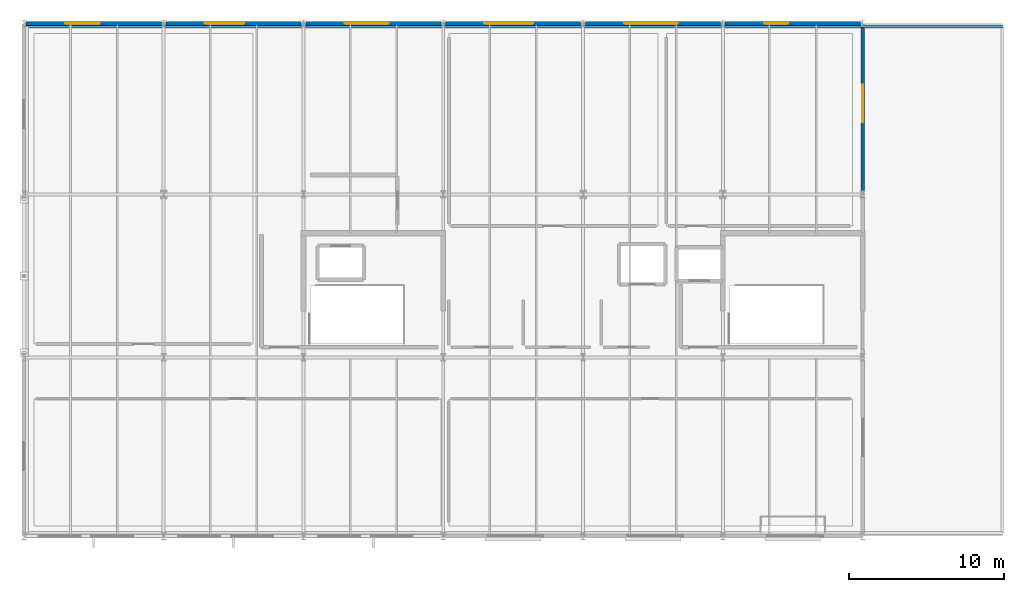
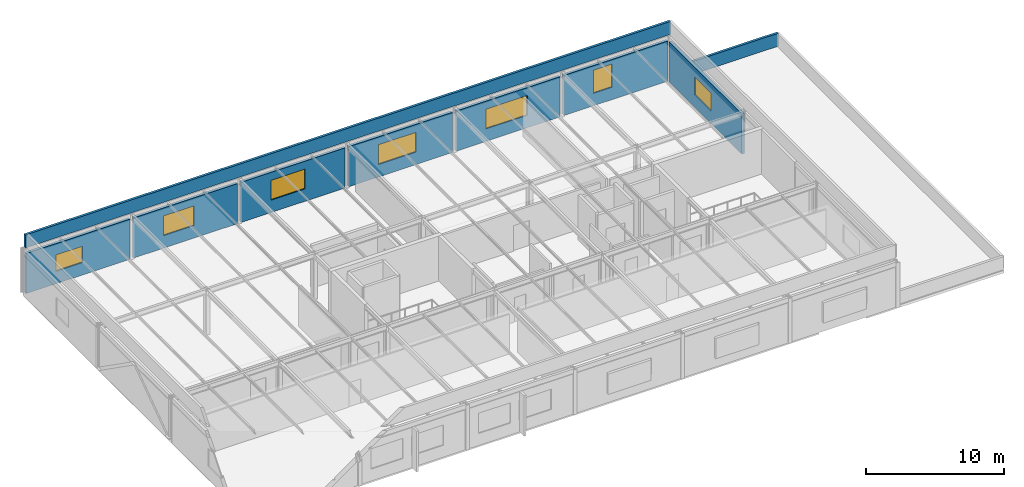
# One storey, part 8 of 14: 9 walls, 7 windows, 7 openings.
"""IFC4 building model written with IfcOpenShell, lengths in metres."""

from ifc_helpers import new_model, si_unit, direction, frame, frame_2d, origin, place, context, subcontext, project, spatial, rectangle, extrude, material, layer, layer_set, type_object, element, fill, save


model = new_model("IFC4")

# Units and contexts
model_context = context("Model", 3, precision=1e-05, world=origin(), true_north=direction((0.0, 1.0)))
body_context = subcontext(model_context, "Body", "Model", "MODEL_VIEW")
ifc_project = project(units=[si_unit("LENGTHUNIT", "METRE"), si_unit("AREAUNIT", "SQUARE_METRE"), si_unit("VOLUMEUNIT", "CUBIC_METRE"), si_unit("PLANEANGLEUNIT", "RADIAN"), si_unit("MASSUNIT", "GRAM", prefix="KILO")], contexts=[model_context])

# Site, building, storey
site_placement = place(None, origin())
site = spatial("IfcSite", under=ifc_project, at=site_placement, CompositionType="ELEMENT")
building_placement = place(site_placement, origin())
building = spatial("IfcBuilding", under=site, at=building_placement, Name="Marlcrest Central Station", CompositionType="ELEMENT")
storey_placement = place(building_placement, frame((0.0, 0.0, 24.0)))
storey = spatial("IfcBuildingStorey", under=building, at=storey_placement, Name="L05", CompositionType="ELEMENT", Elevation=24.0)

# Walls
ifc_material_1 = material(Name="Concrete C40/50", Category="concrete")
ifc_layer_1 = layer(ifc_material_1, 0.199951171875, Name="EP-01")
ifc_layer_set_1 = layer_set([ifc_layer_1], Name="Concrete C40/50")
wall_type_1 = type_object("IfcWallType", Name="EP-01", PredefinedType="PARAPET", material=ifc_layer_set_1)
wall_1_placement = place(storey_placement, frame((54.0, 131.800048828125, 0.0), z_axis=(0.0, 0.0, 1.0), x_axis=(1.0, 0.0, 0.0)))
element("IfcWall", 1, at=wall_1_placement, inside=storey, type_object=wall_type_1, Name="ewall-L05-0209", PredefinedType="PARAPET", context=body_context, shape_type="SweptSolid", body=[
    extrude(rectangle(XDim=9.0, YDim=0.199951171875, at=frame_2d((4.5, 0.0))), origin(), (0.0, 0.0, 1.0), 1.14990234375),
])
wall_2_placement = place(storey_placement, frame((0.0, 131.800048828125, 4.199951171875), z_axis=(0.0, 0.0, 1.0), x_axis=(1.0, 0.0, 0.0)))
element("IfcWall", 2, at=wall_2_placement, inside=storey, type_object=wall_type_1, Name="ewall-L05-0212", PredefinedType="PARAPET", context=body_context, shape_type="SweptSolid", body=[
    extrude(rectangle(XDim=54.0, YDim=0.199951171875, at=frame_2d((27.0, 0.0))), origin(), (0.0, 0.0, 1.0), 1.150146484375),
])

# Wall, opening, window
ifc_material_2 = material(Name="Precast concrete C40/50", Category="concrete")
ifc_layer_2 = layer(ifc_material_2, 0.239990234375, Name="EW-04")
ifc_layer_set_2 = layer_set([ifc_layer_2], Name="Precast concrete C40/50")
wall_type_2 = type_object("IfcWallType", Name="EW-04", PredefinedType="SOLIDWALL", material=ifc_layer_set_2)
wall_3_placement = place(storey_placement, frame((0.14990234375, 132.0, 0.0), z_axis=(0.0, 0.0, 1.0), x_axis=(1.0, 0.0, 0.0)))
wall_3 = element("IfcWall", 3, at=wall_3_placement, inside=storey, type_object=wall_type_2, Name="ewall-L05-0187", PredefinedType="SOLIDWALL", context=body_context, shape_type="SweptSolid", body=[
    extrude(rectangle(XDim=8.7001953125, YDim=0.239990234375, at=frame_2d((4.35009765625, 0.0))), origin(), (0.0, 0.0, 1.0), 3.550048828125),
])
opening_1_placement = place(wall_3_placement, frame((2.5, 0.0, 1.10009765625)))
opening_1 = element("IfcOpeningElement", 4, at=opening_1_placement, cuts=wall_3, Name="Opening WN-16", PredefinedType="OPENING", context=body_context, shape_type="SweptSolid", body=[
    extrude(rectangle(XDim=2.25, YDim=1.449951171875, at=frame_2d((1.125, 0.72509765625))), frame((0.0, 0.1298828125, 0.0), z_axis=(0.0, -1.0, 0.0), x_axis=(1.0, 0.0, 0.0)), (0.0, 0.0, 1.0), 0.260009765625),
])
ifc_material_3 = material(Name="Thermally broken bronze-anodised aluminium and laminated low-E glass", Category="aluminium")
window_type_1 = type_object("IfcWindowType", Name="WN-16", PartitioningType="SINGLE_PANEL", PredefinedType="WINDOW", material=ifc_material_3)
window_1_placement = place(opening_1_placement, origin())
window_1 = element("IfcWindow", 5, at=window_1_placement, inside=storey, type_object=window_type_1, Name="ewin-L05-0151", OverallHeight=1.449951171875, OverallWidth=2.25, PartitioningType="SINGLE_PANEL", PredefinedType="WINDOW", context=body_context, shape_type="SweptSolid", body=[
    extrude(rectangle(XDim=2.25, YDim=1.449951171875, at=frame_2d((1.125, 0.72509765625))), frame((0.0, 0.030029296875, 0.0), z_axis=(0.0, -1.0, 0.0), x_axis=(1.0, 0.0, 0.0)), (0.0, 0.0, 1.0), 0.06005859375),
])
fill(opening_1, window_1)

wall_4_placement = place(storey_placement, frame((9.14990234375, 132.0, 0.0), z_axis=(0.0, 0.0, 1.0), x_axis=(1.0, 0.0, 0.0)))
wall_4 = element("IfcWall", 6, at=wall_4_placement, inside=storey, type_object=wall_type_2, Name="ewall-L05-0189", PredefinedType="SOLIDWALL", context=body_context, shape_type="SweptSolid", body=[
    extrude(rectangle(XDim=8.7001953125, YDim=0.239990234375, at=frame_2d((4.35009765625, 0.0))), origin(), (0.0, 0.0, 1.0), 3.550048828125),
])
opening_2_placement = place(wall_4_placement, frame((2.5, 0.0, 1.10009765625)))
opening_2 = element("IfcOpeningElement", 7, at=opening_2_placement, cuts=wall_4, Name="Opening WN-17", PredefinedType="OPENING", context=body_context, shape_type="SweptSolid", body=[
    extrude(rectangle(XDim=2.550048828125, YDim=1.75, at=frame_2d((1.27490234375, 0.875))), frame((0.0, 0.1298828125, 0.0), z_axis=(0.0, -1.0, 0.0), x_axis=(1.0, 0.0, 0.0)), (0.0, 0.0, 1.0), 0.260009765625),
])
window_type_2 = type_object("IfcWindowType", Name="WN-17", PartitioningType="SINGLE_PANEL", PredefinedType="WINDOW", material=ifc_material_3)
window_2_placement = place(opening_2_placement, origin())
window_2 = element("IfcWindow", 8, at=window_2_placement, inside=storey, type_object=window_type_2, Name="ewin-L05-0154", OverallHeight=1.75, OverallWidth=2.550048828125, PartitioningType="SINGLE_PANEL", PredefinedType="WINDOW", context=body_context, shape_type="SweptSolid", body=[
    extrude(rectangle(XDim=2.550048828125, YDim=1.75, at=frame_2d((1.27490234375, 0.875))), frame((0.0, 0.030029296875, 0.0), z_axis=(0.0, -1.0, 0.0), x_axis=(1.0, 0.0, 0.0)), (0.0, 0.0, 1.0), 0.06005859375),
])
fill(opening_2, window_2)

wall_5_placement = place(storey_placement, frame((18.14990234375, 132.0, 0.0), z_axis=(0.0, 0.0, 1.0), x_axis=(1.0, 0.0, 0.0)))
wall_5 = element("IfcWall", 9, at=wall_5_placement, inside=storey, type_object=wall_type_2, Name="ewall-L05-0191", PredefinedType="SOLIDWALL", context=body_context, shape_type="SweptSolid", body=[
    extrude(rectangle(XDim=8.7001953125, YDim=0.239990234375, at=frame_2d((4.35009765625, 0.0))), origin(), (0.0, 0.0, 1.0), 3.550048828125),
])
opening_3_placement = place(wall_5_placement, frame((2.5, 0.0, 1.10009765625)))
opening_3 = element("IfcOpeningElement", 10, at=opening_3_placement, cuts=wall_5, Name="Opening WN-18", PredefinedType="OPENING", context=body_context, shape_type="SweptSolid", body=[
    extrude(rectangle(XDim=2.85009765625, YDim=1.75, at=frame_2d((1.425048828125, 0.875))), frame((0.0, 0.1298828125, 0.0), z_axis=(0.0, -1.0, 0.0), x_axis=(1.0, 0.0, 0.0)), (0.0, 0.0, 1.0), 0.260009765625),
])
window_type_3 = type_object("IfcWindowType", Name="WN-18", PartitioningType="SINGLE_PANEL", PredefinedType="WINDOW", material=ifc_material_3)
window_3_placement = place(opening_3_placement, origin())
window_3 = element("IfcWindow", 11, at=window_3_placement, inside=storey, type_object=window_type_3, Name="ewin-L05-0157", OverallHeight=1.75, OverallWidth=2.85009765625, PartitioningType="SINGLE_PANEL", PredefinedType="WINDOW", context=body_context, shape_type="SweptSolid", body=[
    extrude(rectangle(XDim=2.85009765625, YDim=1.75, at=frame_2d((1.425048828125, 0.875))), frame((0.0, 0.030029296875, 0.0), z_axis=(0.0, -1.0, 0.0), x_axis=(1.0, 0.0, 0.0)), (0.0, 0.0, 1.0), 0.06005859375),
])
fill(opening_3, window_3)

wall_6_placement = place(storey_placement, frame((27.14990234375, 132.0, 0.0), z_axis=(0.0, 0.0, 1.0), x_axis=(1.0, 0.0, 0.0)))
wall_6 = element("IfcWall", 12, at=wall_6_placement, inside=storey, type_object=wall_type_2, Name="ewall-L05-0193", PredefinedType="SOLIDWALL", context=body_context, shape_type="SweptSolid", body=[
    extrude(rectangle(XDim=8.7001953125, YDim=0.239990234375, at=frame_2d((4.35009765625, 0.0))), origin(), (0.0, 0.0, 1.0), 3.550048828125),
])
opening_4_placement = place(wall_6_placement, frame((2.5, 0.0, 1.10009765625)))
opening_4 = element("IfcOpeningElement", 13, at=opening_4_placement, cuts=wall_6, Name="Opening WN-19", PredefinedType="OPENING", context=body_context, shape_type="SweptSolid", body=[
    extrude(rectangle(XDim=3.14990234375, YDim=1.75, at=frame_2d((1.574951171875, 0.875))), frame((0.0, 0.1298828125, 0.0), z_axis=(0.0, -1.0, 0.0), x_axis=(1.0, 0.0, 0.0)), (0.0, 0.0, 1.0), 0.260009765625),
])
window_type_4 = type_object("IfcWindowType", Name="WN-19", PartitioningType="SINGLE_PANEL", PredefinedType="WINDOW", material=ifc_material_3)
window_4_placement = place(opening_4_placement, origin())
window_4 = element("IfcWindow", 14, at=window_4_placement, inside=storey, type_object=window_type_4, Name="ewin-L05-0159", OverallHeight=1.75, OverallWidth=3.14990234375, PartitioningType="SINGLE_PANEL", PredefinedType="WINDOW", context=body_context, shape_type="SweptSolid", body=[
    extrude(rectangle(XDim=3.14990234375, YDim=1.75, at=frame_2d((1.574951171875, 0.875))), frame((0.0, 0.030029296875, 0.0), z_axis=(0.0, -1.0, 0.0), x_axis=(1.0, 0.0, 0.0)), (0.0, 0.0, 1.0), 0.06005859375),
])
fill(opening_4, window_4)

wall_7_placement = place(storey_placement, frame((36.14990234375, 132.0, 0.0), z_axis=(0.0, 0.0, 1.0), x_axis=(1.0, 0.0, 0.0)))
wall_7 = element("IfcWall", 15, at=wall_7_placement, inside=storey, type_object=wall_type_2, Name="ewall-L05-0195", PredefinedType="SOLIDWALL", context=body_context, shape_type="SweptSolid", body=[
    extrude(rectangle(XDim=8.7001953125, YDim=0.239990234375, at=frame_2d((4.35009765625, 0.0))), origin(), (0.0, 0.0, 1.0), 3.550048828125),
])
opening_5_placement = place(wall_7_placement, frame((2.5, 0.0, 1.10009765625)))
opening_5 = element("IfcOpeningElement", 16, at=opening_5_placement, cuts=wall_7, Name="Opening WN-20", PredefinedType="OPENING", context=body_context, shape_type="SweptSolid", body=[
    extrude(rectangle(XDim=3.449951171875, YDim=1.75, at=frame_2d((1.72509765625, 0.875))), frame((0.0, 0.1298828125, 0.0), z_axis=(0.0, -1.0, 0.0), x_axis=(1.0, 0.0, 0.0)), (0.0, 0.0, 1.0), 0.260009765625),
])
window_type_5 = type_object("IfcWindowType", Name="WN-20", PartitioningType="SINGLE_PANEL", PredefinedType="WINDOW", material=ifc_material_3)
window_5_placement = place(opening_5_placement, origin())
window_5 = element("IfcWindow", 17, at=window_5_placement, inside=storey, type_object=window_type_5, Name="ewin-L05-0161", OverallHeight=1.75, OverallWidth=3.449951171875, PartitioningType="SINGLE_PANEL", PredefinedType="WINDOW", context=body_context, shape_type="SweptSolid", body=[
    extrude(rectangle(XDim=3.449951171875, YDim=1.75, at=frame_2d((1.72509765625, 0.875))), frame((0.0, 0.030029296875, 0.0), z_axis=(0.0, -1.0, 0.0), x_axis=(1.0, 0.0, 0.0)), (0.0, 0.0, 1.0), 0.06005859375),
])
fill(opening_5, window_5)

wall_8_placement = place(storey_placement, frame((45.14990234375, 132.0, 0.0), z_axis=(0.0, 0.0, 1.0), x_axis=(1.0, 0.0, 0.0)))
wall_8 = element("IfcWall", 18, at=wall_8_placement, inside=storey, type_object=wall_type_2, Name="ewall-L05-0197", PredefinedType="SOLIDWALL", context=body_context, shape_type="SweptSolid", body=[
    extrude(rectangle(XDim=8.7001953125, YDim=0.239990234375, at=frame_2d((4.35009765625, 0.0))), origin(), (0.0, 0.0, 1.0), 3.550048828125),
])
opening_6_placement = place(wall_8_placement, frame((2.5, 0.0, 1.10009765625)))
opening_6 = element("IfcOpeningElement", 19, at=opening_6_placement, cuts=wall_8, Name="Opening WN-21", PredefinedType="OPENING", context=body_context, shape_type="SweptSolid", body=[
    extrude(rectangle(XDim=1.550048828125, YDim=2.050048828125, at=frame_2d((0.77490234375, 1.02490234375))), frame((0.0, 0.1298828125, 0.0), z_axis=(0.0, -1.0, 0.0), x_axis=(1.0, 0.0, 0.0)), (0.0, 0.0, 1.0), 0.260009765625),
])
window_type_6 = type_object("IfcWindowType", Name="WN-21", PartitioningType="SINGLE_PANEL", PredefinedType="WINDOW", material=ifc_material_3)
window_6_placement = place(opening_6_placement, origin())
window_6 = element("IfcWindow", 20, at=window_6_placement, inside=storey, type_object=window_type_6, Name="ewin-L05-0163", OverallHeight=2.050048828125, OverallWidth=1.550048828125, PartitioningType="SINGLE_PANEL", PredefinedType="WINDOW", context=body_context, shape_type="SweptSolid", body=[
    extrude(rectangle(XDim=1.550048828125, YDim=2.050048828125, at=frame_2d((0.77490234375, 1.02490234375))), frame((0.0, 0.030029296875, 0.0), z_axis=(0.0, -1.0, 0.0), x_axis=(1.0, 0.0, 0.0)), (0.0, 0.0, 1.0), 0.06005859375),
])
fill(opening_6, window_6)

wall_9_placement = place(storey_placement, frame((54.0, 131.77490234375, 0.0), z_axis=(0.0, 0.0, 1.0), x_axis=(0.0, -1.0, 0.0)))
wall_9 = element("IfcWall", 21, at=wall_9_placement, inside=storey, type_object=wall_type_2, Name="ewall-L05-0204", PredefinedType="SOLIDWALL", context=body_context, shape_type="SweptSolid", body=[
    extrude(rectangle(XDim=10.5498046875, YDim=0.239990234375, at=frame_2d((5.27490234375, 0.0))), origin(), (0.0, 0.0, 1.0), 3.550048828125),
])
opening_7_placement = place(wall_9_placement, frame((3.72509765625, 0.0, 1.10009765625)))
opening_7 = element("IfcOpeningElement", 22, at=opening_7_placement, cuts=wall_9, Name="Opening WN-02", PredefinedType="OPENING", context=body_context, shape_type="SweptSolid", body=[
    extrude(rectangle(XDim=2.39990234375, YDim=1.60009765625, at=frame_2d((1.199951171875, 0.800048828125))), frame((0.0, 0.1298828125, 0.0), z_axis=(0.0, -1.0, 0.0), x_axis=(1.0, 0.0, 0.0)), (0.0, 0.0, 1.0), 0.260009765625),
])
window_type_7 = type_object("IfcWindowType", Name="WN-02", PartitioningType="SINGLE_PANEL", PredefinedType="WINDOW", material=ifc_material_3)
window_7_placement = place(opening_7_placement, origin())
window_7 = element("IfcWindow", 23, at=window_7_placement, inside=storey, type_object=window_type_7, Name="ewin-L05-0167", OverallHeight=1.60009765625, OverallWidth=2.39990234375, PartitioningType="SINGLE_PANEL", PredefinedType="WINDOW", context=body_context, shape_type="SweptSolid", body=[
    extrude(rectangle(XDim=2.39990234375, YDim=1.60009765625, at=frame_2d((1.199951171875, 0.800048828125))), frame((0.0, 0.030029296875, 0.0), z_axis=(0.0, -1.0, 0.0), x_axis=(1.0, 0.0, 0.0)), (0.0, 0.0, 1.0), 0.06005859375),
])
fill(opening_7, window_7)

save(model, "model.ifc")
